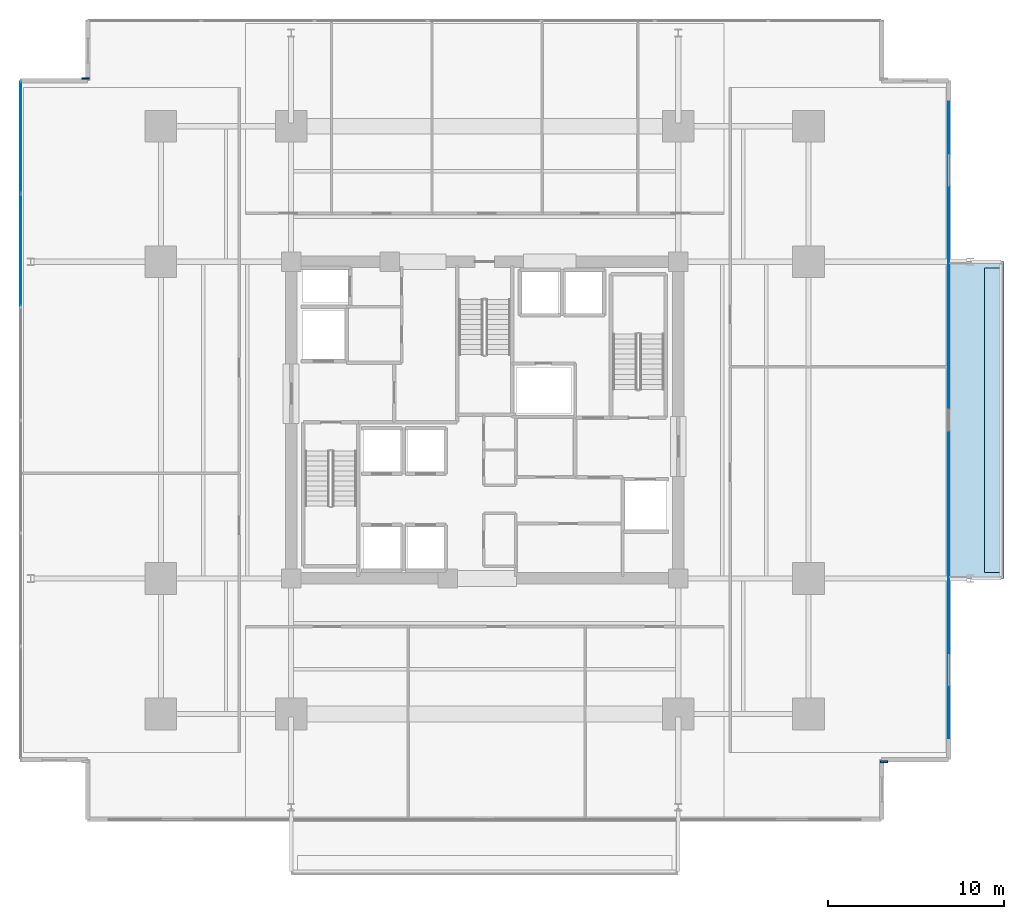
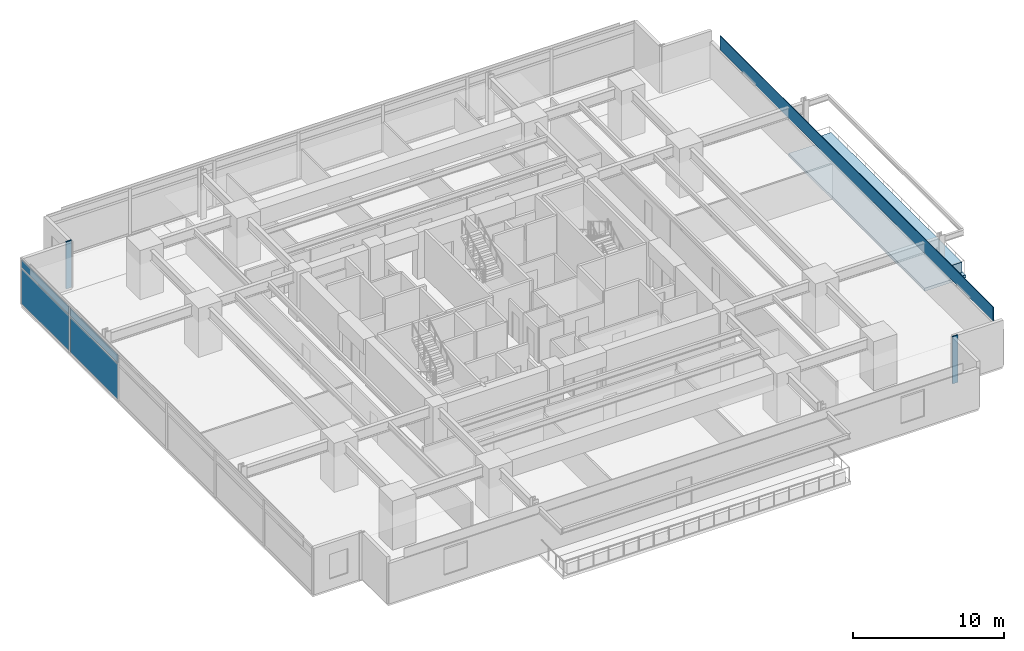
# One storey, part 14 of 23: 7 plates, 2 slabs, 1 element without a shape of its own.
"""IFC4 building model written with IfcOpenShell, lengths in metres."""

from ifc_helpers import new_model, si_unit, direction, frame, origin, origin_2d, place, context, subcontext, project, spatial, polyline, rectangle, outline, extrude, material, layer, layer_set, type_object, element, aggregate, save


model = new_model("IFC4")

# Units and contexts
model_context = context("Model", 3, precision=1e-05, world=origin(), true_north=direction((0.0, 1.0)))
body_context = subcontext(model_context, "Body", "Model", "MODEL_VIEW")
ifc_project = project(units=[si_unit("LENGTHUNIT", "METRE"), si_unit("AREAUNIT", "SQUARE_METRE"), si_unit("VOLUMEUNIT", "CUBIC_METRE"), si_unit("PLANEANGLEUNIT", "RADIAN"), si_unit("MASSUNIT", "GRAM", prefix="KILO")], contexts=[model_context])

# Site, building, storey
site_placement = place(None, origin())
site = spatial("IfcSite", under=ifc_project, at=site_placement, CompositionType="ELEMENT")
building_placement = place(site_placement, origin())
building = spatial("IfcBuilding", under=site, at=building_placement, Name="Kovane Verandah Tower", CompositionType="ELEMENT")
storey_placement = place(building_placement, frame((0.0, 0.0, 91.60009765625)))
storey = spatial("IfcBuildingStorey", under=building, at=storey_placement, Name="L21", CompositionType="ELEMENT", Elevation=91.60009765625)

# Curtain wall, plates
ifc_material_1 = material(Name="Champagne Anodised Aluminium Frame with Low-E Clear Laminated Glass", Category="aluminium")
curtain_wall_type = type_object("IfcCurtainWallType", Name="CW-SYS-02-LOW", PredefinedType="NOTDEFINED", material=ifc_material_1)
curtain_wall_placement = place(storey_placement, origin())
curtain_wall = element("IfcCurtainWall", 1, at=curtain_wall_placement, inside=storey, type_object=curtain_wall_type, Name="L21 W Unitised Curtain Wall", PredefinedType="NOTDEFINED")
ifc_material_2 = material(Name="Pale Champagne Anodised Aluminium Insulated Spandrel", Category="aluminium")
ifc_layer_1 = layer(ifc_material_2, 0.0400390625)
ifc_layer_set_1 = layer_set([ifc_layer_1], Name="Pale Champagne Anodised Aluminium Insulated Spandrel")
plate_type_1 = type_object("IfcPlateType", Name="PL-CW-SPD-40", PredefinedType="SHEET", material=ifc_layer_set_1)
plate_1_placement = place(storey_placement, frame((13.635986328125, 43.5791015625, 3.02978515625), z_axis=(0.0, 0.0, 1.0), x_axis=(0.0, -1.0, 0.0)))
plate_1 = element("IfcPlate", 2, at=plate_1_placement, type_object=plate_type_1, Name="L21 W Unitised Curtain Wall Spandrel Panel 1", PredefinedType="SHEET", context=body_context, shape_type="SweptSolid", body=[
    extrude(rectangle(XDim=6.29150390625, YDim=0.0400390625, at=origin_2d()), origin(), (0.0, 0.0, 1.0), 0.639892578125),
])
plate_2_placement = place(storey_placement, frame((13.635986328125, 37.1474609375, 3.02978515625), z_axis=(0.0, 0.0, 1.0), x_axis=(0.0, -1.0, 0.0)))
plate_2 = element("IfcPlate", 3, at=plate_2_placement, type_object=plate_type_1, Name="L21 W Unitised Curtain Wall Spandrel Panel 2", PredefinedType="SHEET", context=body_context, shape_type="SweptSolid", body=[
    extrude(rectangle(XDim=6.29150390625, YDim=0.0400390625, at=origin_2d()), origin(), (0.0, 0.0, 1.0), 0.639892578125),
])
ifc_material_3 = material(Name="Clear Low-E Laminated Double Glazing", Category="glass")
ifc_layer_2 = layer(ifc_material_3, 0.031982421875)
ifc_layer_set_2 = layer_set([ifc_layer_2], Name="Clear Low-E Laminated Double Glazing")
plate_type_2 = type_object("IfcPlateType", Name="PL-CW-VIS-32", PredefinedType="CURTAIN_PANEL", material=ifc_layer_set_2)
plate_3_placement = place(storey_placement, frame((13.635986328125, 43.5791015625, 0.099853515625), z_axis=(0.0, 0.0, 1.0), x_axis=(0.0, -1.0, 0.0)))
plate_3 = element("IfcPlate", 4, at=plate_3_placement, type_object=plate_type_2, Name="L21 W Unitised Curtain Wall Vision Panel 1", PredefinedType="CURTAIN_PANEL", context=body_context, shape_type="SweptSolid", body=[
    extrude(rectangle(XDim=6.29150390625, YDim=0.031982421875, at=origin_2d()), origin(), (0.0, 0.0, 1.0), 2.830078125),
])
plate_4_placement = place(storey_placement, frame((13.635986328125, 37.1474609375, 0.099853515625), z_axis=(0.0, 0.0, 1.0), x_axis=(0.0, -1.0, 0.0)))
plate_4 = element("IfcPlate", 5, at=plate_4_placement, type_object=plate_type_2, Name="L21 W Unitised Curtain Wall Vision Panel 2", PredefinedType="CURTAIN_PANEL", context=body_context, shape_type="SweptSolid", body=[
    extrude(rectangle(XDim=6.29150390625, YDim=0.031982421875, at=origin_2d()), origin(), (0.0, 0.0, 1.0), 2.830078125),
])
aggregate(curtain_wall, [plate_3, plate_1, plate_4, plate_2])

# Plates
ifc_material_4 = material(Name="Timber-Toned Subtropical Aluminium Vertical Blade", Category="wood")
ifc_layer_3 = layer(ifc_material_4, 0.090087890625)
ifc_layer_set_3 = layer_set([ifc_layer_3], Name="Timber-Toned Subtropical Aluminium Vertical Blade")
plate_type_3 = type_object("IfcPlateType", Name="PL-FIN-90", PredefinedType="USERDEFINED", material=ifc_layer_set_3)
for number, where, z_axis, x_axis, name in (
    (6, (62.68408203125, 8.085205078125, -0.02001953125), (0.0, 0.0, 1.0), (1.0, 0.0, 0.0), "L21 SE Timber-Toned Vertical Corner Fin"),
    (7, (17.31591796875, 46.914794921875, -0.02001953125), (0.0, 0.0, 1.0), (1.0, 0.0, 0.0), "L21 NW Timber-Toned Vertical Corner Fin"),
):
    element("IfcPlate", number, at=place(storey_placement, frame(where, z_axis=z_axis, x_axis=x_axis)), inside=storey, type_object=plate_type_3, Name=name, ObjectType="FIN", PredefinedType="USERDEFINED", context=body_context, shape_type="SweptSolid", body=[
        extrude(rectangle(XDim=0.419921875, YDim=0.090087890625, at=origin_2d()), origin(), (0.0, 0.0, 1.0), 3.820068359375),
    ])
ifc_material_5 = material(Name="Perforated Pale Champagne Anodised Aluminium Solar Screen", Category="aluminium")
ifc_layer_4 = layer(ifc_material_5, 0.050048828125)
ifc_layer_set_4 = layer_set([ifc_layer_4], Name="Perforated Pale Champagne Anodised Aluminium Solar Screen")
plate_type_4 = type_object("IfcPlateType", Name="PL-SCREEN-50", PredefinedType="USERDEFINED", material=ifc_layer_set_4)
plate_5_placement = place(storey_placement, frame((66.379150390625, 27.5, 2.85986328125), z_axis=(0.0, 0.0, 1.0), x_axis=(0.0, 1.0, 0.0)))
element("IfcPlate", 8, at=plate_5_placement, inside=storey, type_object=plate_type_4, Name="L21 E Perforated Champagne-Gold Solar Screen", ObjectType="SCREEN", PredefinedType="USERDEFINED", context=body_context, shape_type="SweptSolid", body=[
    extrude(rectangle(XDim=36.18994140625, YDim=0.050048828125, at=origin_2d()), origin(), (0.0, 0.0, 1.0), 1.14990234375),
])

# Slabs
ifc_material_6 = material(Name="Concrete C45/55", Category="concrete")
ifc_layer_5 = layer(ifc_material_6, 0.239990234375)
ifc_layer_set_5 = layer_set([ifc_layer_5], Name="Concrete C45/55")
slab_type_1 = type_object("IfcSlabType", Name="SL-BALC-240", PredefinedType="FLOOR", material=ifc_layer_set_5)
slab_1_placement = place(storey_placement, frame((0.0, 0.0, -0.239990234375)))
element("IfcSlab", 9, at=slab_1_placement, inside=storey, type_object=slab_type_1, Name="L21 E Planted Verandah Balcony Slab", PredefinedType="FLOOR", context=body_context, shape_type="SweptSolid", body=[
    extrude(outline(polyline([(66.364013671875, 18.5), (69.51416015625, 18.5), (69.51416015625, 36.5), (66.364013671875, 36.5), (66.364013671875, 18.5)])), origin(), (0.0, 0.0, 1.0), 0.239990234375),
])
ifc_material_7 = material(Name="Architectural Precast Concrete C45/55 Planter Trough", Category="concrete")
ifc_layer_6 = layer(ifc_material_7, 0.219970703125)
ifc_layer_set_6 = layer_set([ifc_layer_6], Name="Architectural Precast Concrete C45/55 Planter Trough")
slab_type_2 = type_object("IfcSlabType", Name="SL-PLANTER-220", PredefinedType="USERDEFINED", material=ifc_layer_set_6)
slab_2_placement = place(storey_placement, origin())
element("IfcSlab", 10, at=slab_2_placement, inside=storey, type_object=slab_type_2, Name="L21 E Structural Tree Planter", ObjectType="PLANTER", PredefinedType="USERDEFINED", context=body_context, shape_type="SweptSolid", body=[
    extrude(outline(polyline([(68.4140625, 18.85009765625), (69.4140625, 18.85009765625), (69.4140625, 36.14990234375), (68.4140625, 36.14990234375), (68.4140625, 18.85009765625)])), origin(), (0.0, 0.0, 1.0), 0.849853515625),
])

save(model, "model.ifc")
